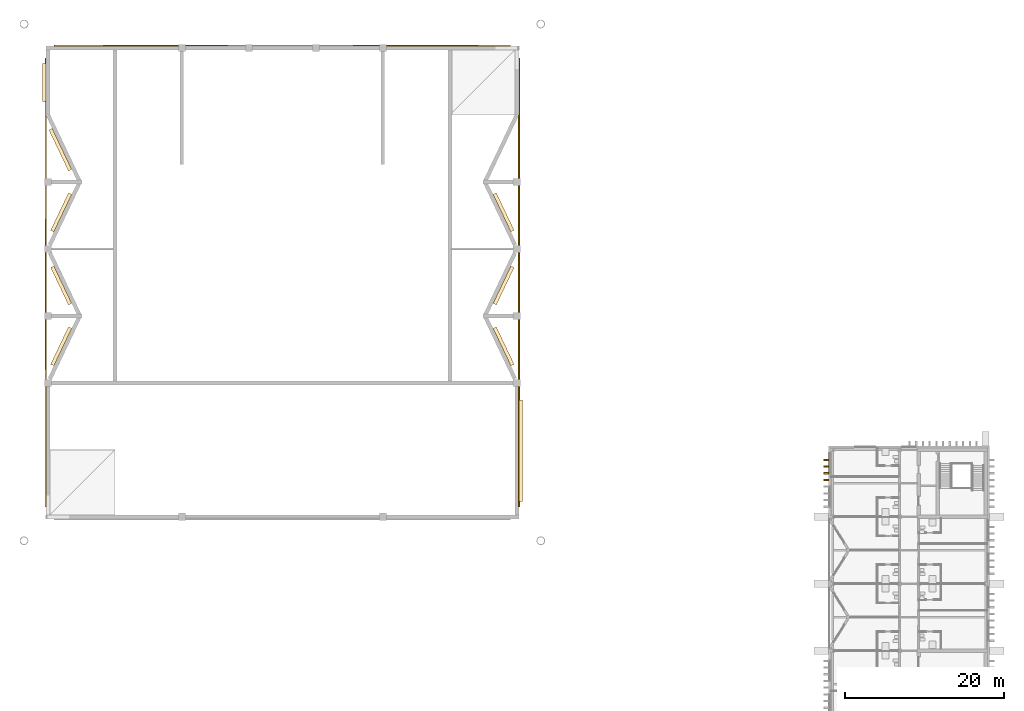
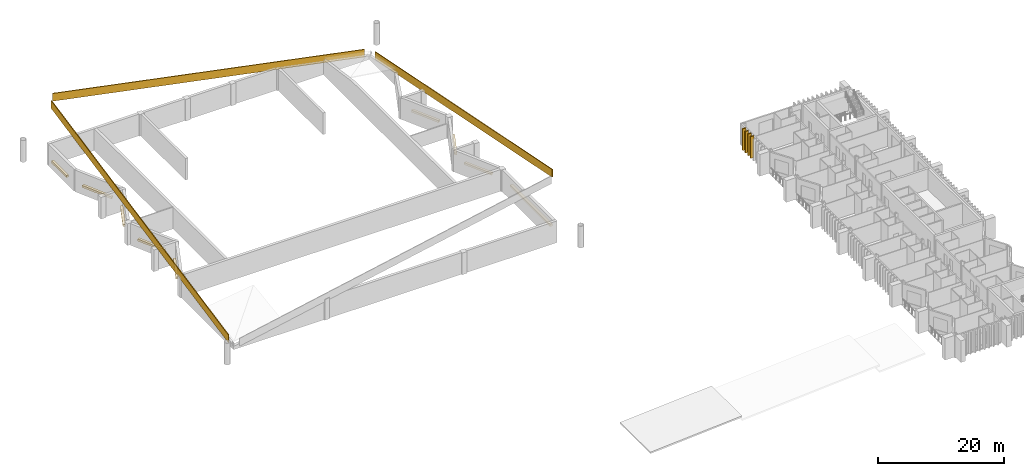
# One storey, part 19 of 21: 16 coverings.
"""IFC4 building model written with IfcOpenShell, lengths in metres."""

from ifc_helpers import new_model, si_unit, direction, frame, origin, origin_2d, place, context, subcontext, project, spatial, polyline, rectangle, outline, extrude, material, type_object, element, save


model = new_model("IFC4")

# Units and contexts
model_context = context("Model", 3, precision=1e-05, world=origin(), true_north=direction((0.0, 1.0)))
body_context = subcontext(model_context, "Body", "Model", "MODEL_VIEW")
ifc_project = project(units=[si_unit("LENGTHUNIT", "METRE"), si_unit("AREAUNIT", "SQUARE_METRE"), si_unit("VOLUMEUNIT", "CUBIC_METRE"), si_unit("PLANEANGLEUNIT", "RADIAN"), si_unit("MASSUNIT", "GRAM", prefix="KILO")], contexts=[model_context])

# Site, building, storey
site_placement = place(None, origin())
site = spatial("IfcSite", under=ifc_project, at=site_placement, CompositionType="ELEMENT")
building_placement = place(site_placement, origin())
building = spatial("IfcBuilding", under=site, at=building_placement, Name="Cresset Court Congress Hotel", CompositionType="ELEMENT")
storey_placement = place(building_placement, frame((0.0, 0.0, 22.800048828125)))
storey = spatial("IfcBuildingStorey", under=building, at=storey_placement, Name="L05", CompositionType="ELEMENT", Elevation=22.800048828125)

# Coverings
ifc_material_1 = material(Name="Precast concrete C50", Category="concrete")
covering_type_1 = type_object("IfcCoveringType", Name="Precast eaves fascia 150x1500", PredefinedType="CLADDING", material=ifc_material_1)
covering_1_placement = place(storey_placement, frame((117.949951171875, 60.06005859375, 11.771728515625), z_axis=(1.0, 0.0, 0.0), x_axis=(0.0, 0.980451724463, -0.196759792633)))
element("IfcCovering", 1, at=covering_1_placement, inside=storey, type_object=covering_type_1, Name="Eaves fascia C-E", PredefinedType="CLADDING", context=body_context, shape_type="SweptSolid", body=[
    extrude(outline(polyline([(0.0, 0.0), (57.40214218877844, 1.7763568394002505e-15), (57.10700249982904, 1.4706775866949418), (-0.29513968894939485, 1.4706775866949406), (0.0, 0.0)])), origin(), (0.0, 0.0, -1.0), 0.14990234375),
])
covering_2_placement = place(storey_placement, frame((0.0, 117.875, -22.800048828125)))
element("IfcCovering", 2, at=covering_2_placement, inside=storey, type_object=covering_type_1, Name="Eaves fascia C-N", PredefinedType="CLADDING", context=body_context, shape_type="SweptSolid", body=[
    extrude(outline(polyline([(116.800048828125, 24.68505859375), (59.60009765625, 36.1640625), (59.60009765625, 34.6640625), (116.800048828125, 23.18505859375), (116.800048828125, 24.68505859375)])), frame((0.0, 0.074951171875, 0.0), z_axis=(0.0, -1.0, 0.0), x_axis=(1.0, 0.0, 0.0)), (0.0, 0.0, 1.0), 0.14990234375),
])
covering_3_placement = place(storey_placement, frame((58.60009765625, 116.340087890625, 13.271728515625), z_axis=(1.0, 0.0, 0.0), x_axis=(0.0, -0.980451724463, -0.196759792633)))
element("IfcCovering", 3, at=covering_3_placement, inside=storey, type_object=covering_type_1, Name="Eaves fascia C-W", PredefinedType="CLADDING", context=body_context, shape_type="SweptSolid", body=[
    extrude(outline(polyline([(0.0, 0.0), (57.40214218877844, -1.7763568394002505e-15), (57.69728187772783, 1.47067758669494), (0.29513968894939485, 1.4706775866949406), (0.0, 0.0)])), origin(), (0.0, 0.0, -1.0), 0.14990234375),
])
ifc_material_2 = material(Name="Precast concrete C50", Category="concrete")
covering_type_2 = type_object("IfcCoveringType", Name="Precast reveal band 450x400", PredefinedType="CLADDING", material=ifc_material_2)
covering_4_placement = place(storey_placement, frame((118.074951171875, 67.10009765625, 1.75), z_axis=(0.0, 0.0, 1.0), x_axis=(0.0, -1.0, 0.0)))
element("IfcCovering", 4, at=covering_4_placement, inside=storey, type_object=covering_type_2, Name="Reveal band E.L05.00a.1", PredefinedType="CLADDING", context=body_context, shape_type="SweptSolid", body=[
    extrude(rectangle(XDim=12.699951171875, YDim=0.449951171875, at=origin_2d()), origin(), (0.0, 0.0, 1.0), 0.39990234375),
])
for number, where, z_axis, x_axis, name in (
    (5, (115.942626953125, 80.185546875, 1.75), (0.0, 0.0, 1.0), (0.429932870312, -0.902860856957, 0.0), "Reveal band E.L05.01a.1"),
    (6, (115.942626953125, 87.814453125, 1.75), (0.0, 0.0, 1.0), (-0.429932870312, -0.902860856957, 0.0), "Reveal band E.L05.02a.1"),
    (7, (115.942626953125, 96.985595703125, 1.75), (0.0, 0.0, 1.0), (0.429932870312, -0.902860856957, 0.0), "Reveal band E.L05.03a.1"),
):
    element("IfcCovering", number, at=place(storey_placement, frame(where, z_axis=z_axis, x_axis=x_axis)), inside=storey, type_object=covering_type_2, Name=name, PredefinedType="CLADDING", context=body_context, shape_type="SweptSolid", body=[
        extrude(rectangle(XDim=5.19775390625, YDim=0.449951171875, at=origin_2d()), origin(), (0.0, 0.0, 1.0), 0.39990234375),
    ])
covering_5_placement = place(storey_placement, frame((58.324951171875, 113.27490234375, 1.75), z_axis=(0.0, 0.0, 1.0), x_axis=(0.0, 1.0, 0.0)))
element("IfcCovering", 8, at=covering_5_placement, inside=storey, type_object=covering_type_2, Name="Reveal band W.L05.00a0.1", PredefinedType="CLADDING", context=body_context, shape_type="SweptSolid", body=[
    extrude(rectangle(XDim=4.75, YDim=0.449951171875, at=origin_2d()), origin(), (0.0, 0.0, 1.0), 0.39990234375),
])
covering_6_placement = place(storey_placement, frame((60.350341796875, 104.839599609375, 1.75), z_axis=(0.0, 0.0, 1.0), x_axis=(-0.429932870312, 0.902860856957, 0.0)))
element("IfcCovering", 9, at=covering_6_placement, inside=storey, type_object=covering_type_2, Name="Reveal band W.L05.00a1.1", PredefinedType="CLADDING", context=body_context, shape_type="SweptSolid", body=[
    extrude(rectangle(XDim=5.696044921875, YDim=0.449951171875, at=origin_2d()), origin(), (0.0, 0.0, 1.0), 0.39990234375),
])
for number, where, z_axis, x_axis, name in (
    (10, (60.45751953125, 96.985595703125, 1.75), (0.0, 0.0, 1.0), (0.429932870312, 0.902860856957, 0.0), "Reveal band W.L05.01a.1"),
    (11, (60.45751953125, 87.814453125, 1.75), (0.0, 0.0, 1.0), (-0.429932870312, 0.902860856957, 0.0), "Reveal band W.L05.02a.1"),
    (12, (60.45751953125, 80.185546875, 1.75), (0.0, 0.0, 1.0), (0.429932870312, 0.902860856957, 0.0), "Reveal band W.L05.03a.1"),
):
    element("IfcCovering", number, at=place(storey_placement, frame(where, z_axis=z_axis, x_axis=x_axis)), inside=storey, type_object=covering_type_2, Name=name, PredefinedType="CLADDING", context=body_context, shape_type="SweptSolid", body=[
        extrude(rectangle(XDim=5.19775390625, YDim=0.449951171875, at=origin_2d()), origin(), (0.0, 0.0, 1.0), 0.39990234375),
    ])
ifc_material_3 = material(Name="Precast concrete C50", Category="concrete")
covering_type_3 = type_object("IfcCoveringType", Name="Precast stone fin 200x600", PredefinedType="CLADDING", material=ifc_material_3)
for number, where, z_axis, x_axis, name in (
    (13, (156.39990234375, 63.419921875, 0.0), (0.0, 0.0, 1.0), (1.0, 0.0, 0.0), "Fin W076"),
    (14, (156.39990234375, 64.260009765625, 0.0), (0.0, 0.0, 1.0), (1.0, 0.0, 0.0), "Fin W077"),
    (15, (156.39990234375, 65.10009765625, 0.0), (0.0, 0.0, 1.0), (1.0, 0.0, 0.0), "Fin W078"),
    (16, (156.39990234375, 65.93994140625, 0.0), (0.0, 0.0, 1.0), (1.0, 0.0, 0.0), "Fin W079"),
):
    element("IfcCovering", number, at=place(storey_placement, frame(where, z_axis=z_axis, x_axis=x_axis)), inside=storey, type_object=covering_type_3, Name=name, PredefinedType="CLADDING", context=body_context, shape_type="SweptSolid", body=[
        extrude(rectangle(XDim=0.60009765625, YDim=0.199951171875, at=origin_2d()), origin(), (0.0, 0.0, 1.0), 4.199951171875),
    ])

save(model, "model.ifc")
